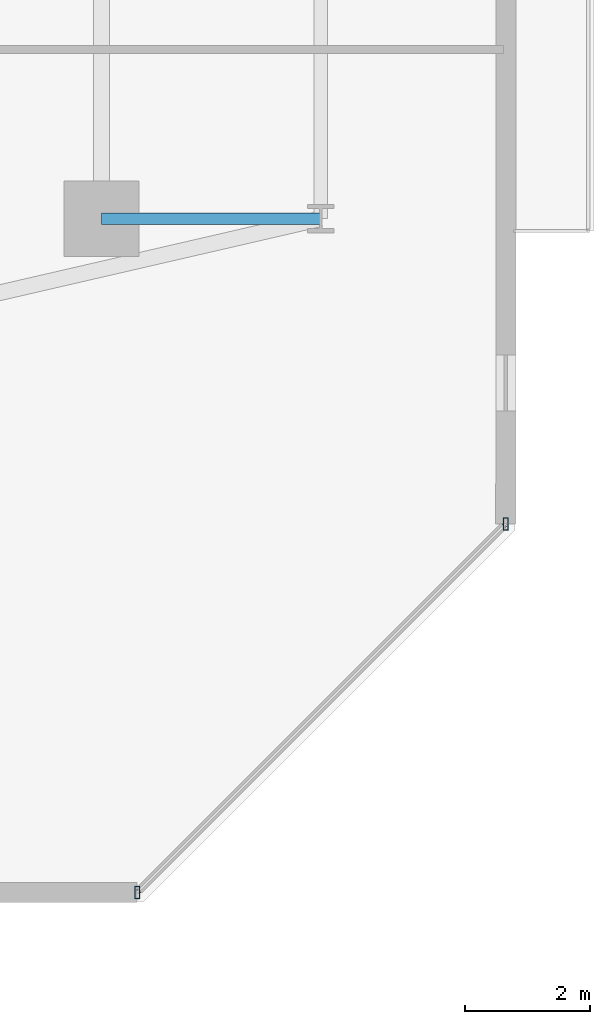
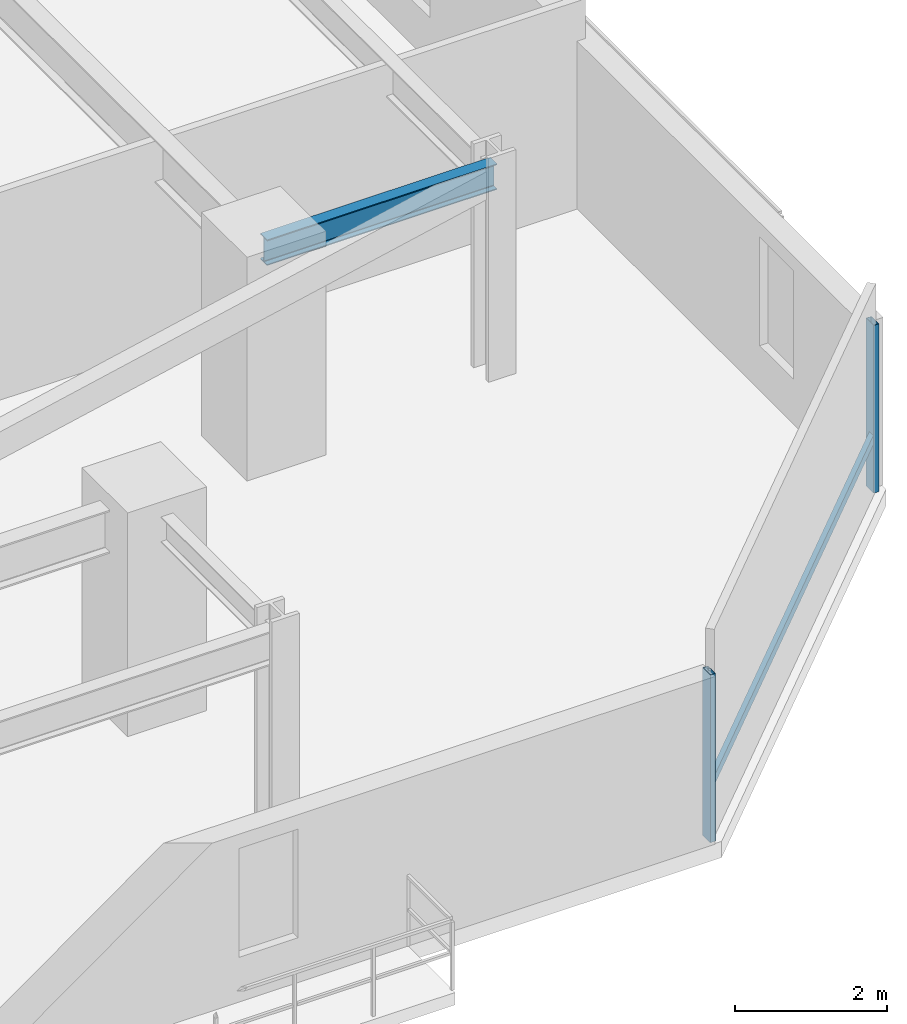
# One storey, part 12 of 32: 3 members, 1 beam, 1 element without a shape of its own.
"""IFC4 building model written with IfcOpenShell, lengths in metres."""

from ifc_helpers import new_model, si_unit, direction, frame, origin, origin_2d, place, context, subcontext, project, spatial, hollow_rectangle, i_section, extrude, material, material_profile, profile_set, type_object, element, aggregate, save


model = new_model("IFC4")

# Units and contexts
model_context = context("Model", 3, precision=1e-05, world=origin(), true_north=direction((0.0, 1.0)))
body_context = subcontext(model_context, "Body", "Model", "MODEL_VIEW")
ifc_project = project(units=[si_unit("LENGTHUNIT", "METRE"), si_unit("AREAUNIT", "SQUARE_METRE"), si_unit("VOLUMEUNIT", "CUBIC_METRE"), si_unit("PLANEANGLEUNIT", "RADIAN"), si_unit("MASSUNIT", "GRAM", prefix="KILO")], contexts=[model_context])

# Site, building, storey
site_placement = place(None, origin())
site = spatial("IfcSite", under=ifc_project, at=site_placement, CompositionType="ELEMENT")
building_placement = place(site_placement, origin())
building = spatial("IfcBuilding", under=site, at=building_placement, Name="Thornwick Lancets Civic Towers", CompositionType="ELEMENT")
storey_placement = place(building_placement, frame((0.0, 0.0, 123.300048828125)))
storey = spatial("IfcBuildingStorey", under=building, at=storey_placement, Name="L32", CompositionType="ELEMENT", Elevation=123.300048828125)

# Beam
ifc_material_1 = material(Name="Steel S355JR", Category="steel")
ifc_material_profile_1 = material_profile(ifc_material_1, i_section(OverallWidth=0.179443359375, OverallDepth=0.412841796875, WebThickness=0.009521484375, FlangeThickness=0.01611328125, FilletRadius=0.01025390625, at=origin_2d()), Name="UKB 406x178x74")
ifc_profile_set_1 = profile_set([ifc_material_profile_1], Name="Steel S355JR")
beam_type = type_object("IfcBeamType", Name="BM_JOIST_406_74", PredefinedType="JOIST", material=ifc_profile_set_1)
beam_placement = place(storey_placement, frame((105.800048828125, 14.0, 3.153564453125), z_axis=(1.0, 0.0, 0.0), x_axis=(0.0, 1.0, 0.0)))
element("IfcBeam", 1, at=beam_placement, inside=storey, type_object=beam_type, Name="BM-RAD-L32-B01", PredefinedType="JOIST", context=body_context, shape_type="SweptSolid", body=[
    extrude(i_section(OverallWidth=0.179443359375, OverallDepth=0.412841796875, WebThickness=0.009521484375, FlangeThickness=0.01611328125, FilletRadius=0.01025390625, at=origin_2d()), origin(), (0.0, 0.0, 1.0), 3.5),
])

# Curtain wall, members
ifc_material_2 = material(Name="Mid-zone chamfered-corner unitised glass curtain wall", Category="glass")
curtain_wall_type = type_object("IfcCurtainWallType", Name="CW_SYS_04", PredefinedType="NOTDEFINED", material=ifc_material_2)
curtain_wall_placement = place(storey_placement, origin())
curtain_wall = element("IfcCurtainWall", 2, at=curtain_wall_placement, inside=storey, type_object=curtain_wall_type, Name="L32 Curtain Wall CW-L32-B-E1", PredefinedType="NOTDEFINED")
ifc_material_3 = material(Name="Thermally broken bronze aluminium S355", Category="steel")
ifc_material_profile_2 = material_profile(ifc_material_3, hollow_rectangle(XDim=0.080078125, YDim=0.199951171875, WallThickness=0.006103515625, at=origin_2d()), Name="RHS 200x80x6")
ifc_profile_set_2 = profile_set([ifc_material_profile_2], Name="Thermally broken bronze aluminium S355")
member_type_1 = type_object("IfcMemberType", Name="CW_MUL_200", PredefinedType="MULLION", material=ifc_profile_set_2)
member_1_placement = place(storey_placement, frame((106.372314453125, 3.246337890625, 0.0), z_axis=(0.0, 0.0, 1.0), x_axis=(1.0, 0.0, 0.0)))
member_1 = element("IfcMember", 3, at=member_1_placement, type_object=member_type_1, Name="CW-L32-B-E1 Mullion 0", PredefinedType="MULLION", context=body_context, shape_type="SweptSolid", body=[
    extrude(hollow_rectangle(XDim=0.080078125, YDim=0.199951171875, WallThickness=0.006103515625, at=origin_2d()), origin(), (0.0, 0.0, 1.0), 2.699951171875),
])
member_2_placement = place(storey_placement, frame((112.253662109375, 9.127685546875, 0.0), z_axis=(0.0, 0.0, 1.0), x_axis=(1.0, 0.0, 0.0)))
member_2 = element("IfcMember", 4, at=member_2_placement, type_object=member_type_1, Name="CW-L32-B-E1 Mullion 1", PredefinedType="MULLION", context=body_context, shape_type="SweptSolid", body=[
    extrude(hollow_rectangle(XDim=0.080078125, YDim=0.199951171875, WallThickness=0.006103515625, at=origin_2d()), origin(), (0.0, 0.0, 1.0), 2.699951171875),
])
ifc_material_profile_3 = material_profile(ifc_material_3, hollow_rectangle(XDim=0.074951171875, YDim=0.14990234375, WallThickness=0.0048828125, at=origin_2d()), Name="RHS 150x75x5")
ifc_profile_set_3 = profile_set([ifc_material_profile_3], Name="Thermally broken bronze aluminium S355")
member_type_2 = type_object("IfcMemberType", Name="CW_TRN_150", PredefinedType="USERDEFINED", material=ifc_profile_set_3)
member_3_placement = place(storey_placement, frame((106.38623046875, 3.260498046875, 0.849853515625), z_axis=(0.707106781187, 0.707106781187, 0.0), x_axis=(-0.707106781187, 0.707106781187, 0.0)))
member_3 = element("IfcMember", 5, at=member_3_placement, type_object=member_type_2, Name="CW-L32-B-E1 Transom 0", ObjectType="TRANSOM", PredefinedType="USERDEFINED", context=body_context, shape_type="SweptSolid", body=[
    extrude(hollow_rectangle(XDim=0.074951171875, YDim=0.14990234375, WallThickness=0.0048828125, at=origin_2d()), origin(), (0.0, 0.0, 1.0), 8.27783203125),
])
aggregate(curtain_wall, [member_1, member_2, member_3])

save(model, "model.ifc")
